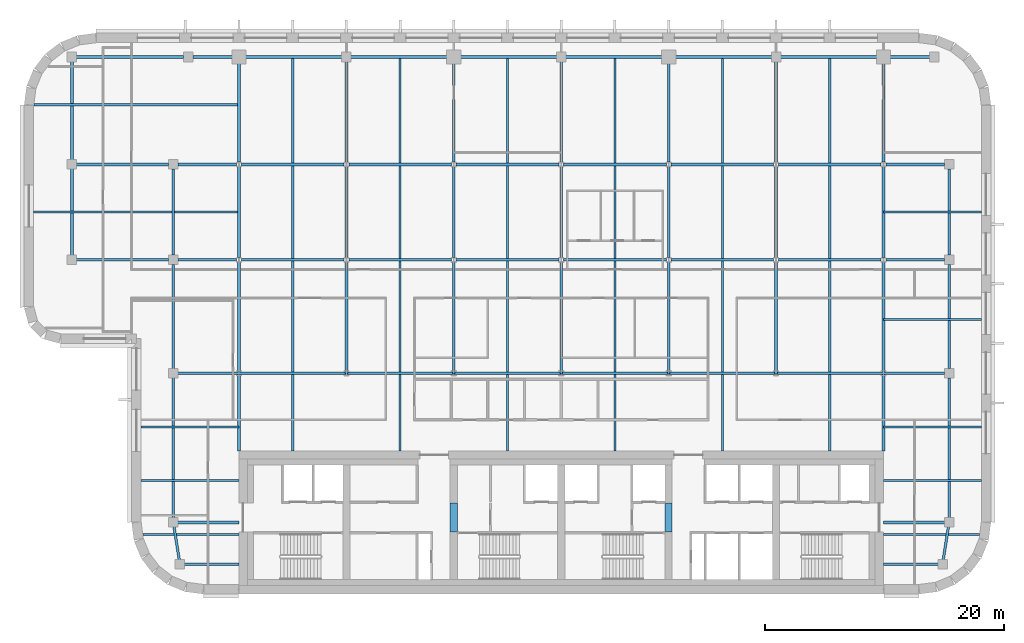
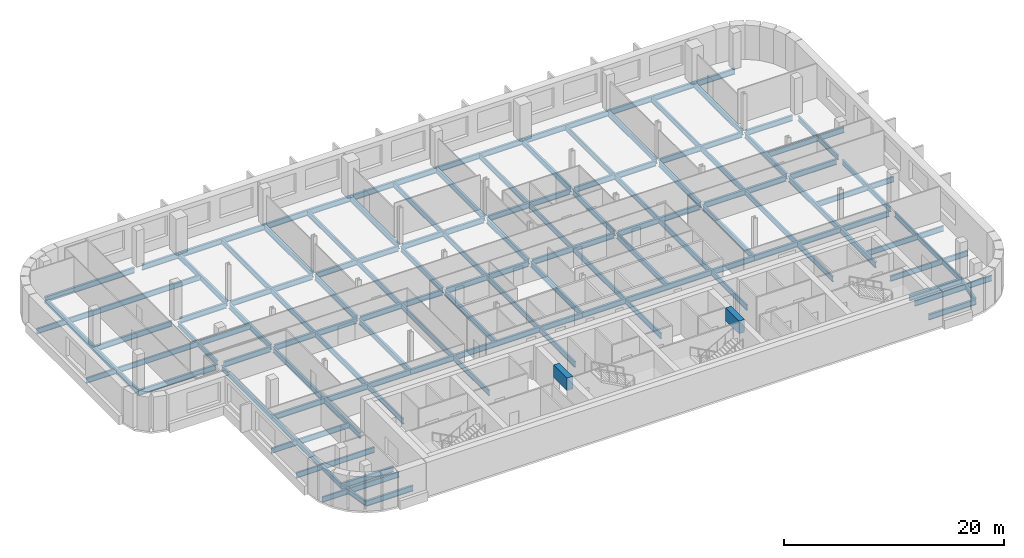
# One storey, part 5 of 16: 80 beams.
"""IFC4 building model written with IfcOpenShell, lengths in metres."""

from ifc_helpers import new_model, si_unit, direction, frame, origin, origin_2d, place, context, subcontext, project, spatial, rectangle, i_section, extrude, material, material_profile, profile_set, type_object, element, save


model = new_model("IFC4")

# Units and contexts
model_context = context("Model", 3, precision=1e-05, world=origin(), true_north=direction((0.0, 1.0)))
body_context = subcontext(model_context, "Body", "Model", "MODEL_VIEW")
ifc_project = project(units=[si_unit("LENGTHUNIT", "METRE"), si_unit("AREAUNIT", "SQUARE_METRE"), si_unit("VOLUMEUNIT", "CUBIC_METRE"), si_unit("PLANEANGLEUNIT", "RADIAN"), si_unit("MASSUNIT", "GRAM", prefix="KILO")], contexts=[model_context])

# Site, building, storey
site_placement = place(None, origin())
site = spatial("IfcSite", under=ifc_project, at=site_placement, CompositionType="ELEMENT")
building_placement = place(site_placement, origin())
building = spatial("IfcBuilding", under=site, at=building_placement, Name="Zellij Exchange Tower", CompositionType="ELEMENT")
storey_placement = place(building_placement, frame((0.0, 0.0, 248.5)))
storey = spatial("IfcBuildingStorey", under=building, at=storey_placement, Name="L58", CompositionType="ELEMENT", Elevation=248.5)

# Beams
ifc_material_1 = material(Name="Concrete C50/60", Category="concrete")
ifc_material_profile_1 = material_profile(ifc_material_1, rectangle(XDim=0.60009765625, YDim=1.39990234375, at=origin_2d()), Name="CORE-CB 600x1400 C50/60")
ifc_profile_set_1 = profile_set([ifc_material_profile_1], Name="Concrete C50/60")
beam_type_1 = type_object("IfcBeamType", Name="CORE-CB 600x1400 C50/60", PredefinedType="BEAM", material=ifc_profile_set_1)
for number, where, z_axis, x_axis, name in (
    (1, (-9.0, -8.800048828125, 3.10009765625), (0.0, 1.0, 0.0), (-1.0, 0.0, 0.0), "Core coupling beam x -9 L58"),
    (2, (9.0, -8.800048828125, 3.10009765625), (0.0, 1.0, 0.0), (-1.0, 0.0, 0.0), "Core coupling beam x 9 L58"),
):
    element("IfcBeam", number, at=place(storey_placement, frame(where, z_axis=z_axis, x_axis=x_axis)), inside=storey, type_object=beam_type_1, Name=name, PredefinedType="BEAM", context=body_context, shape_type="SweptSolid", body=[
        extrude(rectangle(XDim=0.60009765625, YDim=1.39990234375, at=origin_2d()), origin(), (0.0, 0.0, 1.0), 2.425048828125),
    ])
ifc_material_2 = material(Name="Structural steel ASTM A992 Gr 50", Category="steel")
ifc_material_profile_2 = material_profile(ifc_material_2, i_section(OverallWidth=0.177978515625, OverallDepth=0.599365234375, WebThickness=0.010009765625, FlangeThickness=0.012939453125, at=origin_2d()), Name="W24x55")
ifc_profile_set_2 = profile_set([ifc_material_profile_2], Name="Structural steel ASTM A992 Gr 50")
beam_type_2 = type_object("IfcBeamType", Name="STR-BEAM W24x55", PredefinedType="BEAM", material=ifc_profile_set_2)
for number, where, z_axis, x_axis, name in (
    (3, (-22.5, -2.0, -0.499755859375), (0.0, 1.0, 0.0), (-1.0, 0.0, 0.0), "B4"),
    (4, (-13.5, -2.0, -0.499755859375), (0.0, 1.0, 0.0), (-1.0, 0.0, 0.0), "B4"),
    (5, (-4.5, -2.0, -0.499755859375), (0.0, 1.0, 0.0), (-1.0, 0.0, 0.0), "B4"),
    (6, (4.5, -2.0, -0.499755859375), (0.0, 1.0, 0.0), (-1.0, 0.0, 0.0), "B4"),
    (7, (13.5, -2.0, -0.499755859375), (0.0, 1.0, 0.0), (-1.0, 0.0, 0.0), "B4"),
    (8, (22.5, -2.0, -0.499755859375), (0.0, 1.0, 0.0), (-1.0, 0.0, 0.0), "B4"),
):
    element("IfcBeam", number, at=place(storey_placement, frame(where, z_axis=z_axis, x_axis=x_axis)), inside=storey, type_object=beam_type_2, Name=name, PredefinedType="BEAM", context=body_context, shape_type="SweptSolid", body=[
        extrude(i_section(OverallWidth=0.177978515625, OverallDepth=0.599365234375, WebThickness=0.010009765625, FlangeThickness=0.012939453125, at=origin_2d()), origin(), (0.0, 0.0, 1.0), 33.1142578125),
    ])
beam_1_placement = place(storey_placement, frame((-35.06103515625, -9.0, -0.499755859375), z_axis=(1.0, 0.0, 0.0), x_axis=(0.0, 1.0, 0.0)))
element("IfcBeam", 9, at=beam_1_placement, inside=storey, type_object=beam_type_2, Name="B4", PredefinedType="BEAM", context=body_context, shape_type="SweptSolid", body=[
    extrude(i_section(OverallWidth=0.177978515625, OverallDepth=0.599365234375, WebThickness=0.010009765625, FlangeThickness=0.012939453125, at=origin_2d()), origin(), (0.0, 0.0, 1.0), 8.06103515625),
])
for number, where, z_axis, x_axis, name in (
    (10, (-35.199951171875, -4.5, -0.499755859375), (1.0, 0.0, 0.0), (0.0, 1.0, 0.0), "B4"),
    (11, (-35.199951171875, 0.0, -0.499755859375), (1.0, 0.0, 0.0), (0.0, 1.0, 0.0), "B4"),
):
    element("IfcBeam", number, at=place(storey_placement, frame(where, z_axis=z_axis, x_axis=x_axis)), inside=storey, type_object=beam_type_2, Name=name, PredefinedType="BEAM", context=body_context, shape_type="SweptSolid", body=[
        extrude(i_section(OverallWidth=0.177978515625, OverallDepth=0.599365234375, WebThickness=0.010009765625, FlangeThickness=0.012939453125, at=origin_2d()), origin(), (0.0, 0.0, 1.0), 8.199951171875),
    ])
beam_2_placement = place(storey_placement, frame((-44.199951171875, 18.0, -0.499755859375), z_axis=(1.0, 0.0, 0.0), x_axis=(0.0, 1.0, 0.0)))
element("IfcBeam", 12, at=beam_2_placement, inside=storey, type_object=beam_type_2, Name="B4", PredefinedType="BEAM", context=body_context, shape_type="SweptSolid", body=[
    extrude(i_section(OverallWidth=0.177978515625, OverallDepth=0.599365234375, WebThickness=0.010009765625, FlangeThickness=0.012939453125, at=origin_2d()), origin(), (0.0, 0.0, 1.0), 17.199951171875),
])
beam_3_placement = place(storey_placement, frame((-44.193115234375, 27.0, -0.499755859375), z_axis=(1.0, 0.0, 0.0), x_axis=(0.0, 1.0, 0.0)))
element("IfcBeam", 13, at=beam_3_placement, inside=storey, type_object=beam_type_2, Name="B4", PredefinedType="BEAM", context=body_context, shape_type="SweptSolid", body=[
    extrude(i_section(OverallWidth=0.177978515625, OverallDepth=0.599365234375, WebThickness=0.010009765625, FlangeThickness=0.012939453125, at=origin_2d()), origin(), (0.0, 0.0, 1.0), 17.193115234375),
])
beam_4_placement = place(storey_placement, frame((27.0, -9.0, -0.499755859375), z_axis=(1.0, 0.0, 0.0), x_axis=(0.0, 1.0, 0.0)))
element("IfcBeam", 14, at=beam_4_placement, inside=storey, type_object=beam_type_2, Name="B4", PredefinedType="BEAM", context=body_context, shape_type="SweptSolid", body=[
    extrude(i_section(OverallWidth=0.177978515625, OverallDepth=0.599365234375, WebThickness=0.010009765625, FlangeThickness=0.012939453125, at=origin_2d()), origin(), (0.0, 0.0, 1.0), 8.06103515625),
])
for number, where, z_axis, x_axis, name in (
    (15, (27.0, -4.5, -0.499755859375), (1.0, 0.0, 0.0), (0.0, 1.0, 0.0), "B4"),
    (16, (27.0, 0.0, -0.499755859375), (1.0, 0.0, 0.0), (0.0, 1.0, 0.0), "B4"),
    (17, (27.0, 9.0, -0.499755859375), (1.0, 0.0, 0.0), (0.0, 1.0, 0.0), "B4"),
    (18, (27.0, 18.0, -0.499755859375), (1.0, 0.0, 0.0), (0.0, 1.0, 0.0), "B4"),
):
    element("IfcBeam", number, at=place(storey_placement, frame(where, z_axis=z_axis, x_axis=x_axis)), inside=storey, type_object=beam_type_2, Name=name, PredefinedType="BEAM", context=body_context, shape_type="SweptSolid", body=[
        extrude(i_section(OverallWidth=0.177978515625, OverallDepth=0.599365234375, WebThickness=0.010009765625, FlangeThickness=0.012939453125, at=origin_2d()), origin(), (0.0, 0.0, 1.0), 8.199951171875),
    ])
ifc_material_profile_3 = material_profile(ifc_material_2, i_section(OverallWidth=0.209228515625, OverallDepth=0.533447265625, WebThickness=0.01025390625, FlangeThickness=0.015625, at=origin_2d()), Name="W21x62")
ifc_profile_set_3 = profile_set([ifc_material_profile_3], Name="Structural steel ASTM A992 Gr 50")
beam_type_3 = type_object("IfcBeamType", Name="STR-EDGE GIRDER W21x62", PredefinedType="BEAM", material=ifc_profile_set_3)
beam_5_placement = place(storey_placement, frame((-31.949951171875, -11.5, -0.466796875), z_axis=(-0.155251283593, 0.987875011802, 0.0), x_axis=(-0.987875011802, -0.155251283593, 0.0)))
element("IfcBeam", 19, at=beam_5_placement, inside=storey, type_object=beam_type_3, Name="EB3", PredefinedType="BEAM", context=body_context, shape_type="SweptSolid", body=[
    extrude(i_section(OverallWidth=0.209228515625, OverallDepth=0.533447265625, WebThickness=0.01025390625, FlangeThickness=0.015625, at=origin_2d()), origin(), (0.0, 0.0, 1.0), 3.54296875),
])
beam_6_placement = place(storey_placement, frame((-32.5, -8.0, -0.466796875), z_axis=(0.0, 1.0, 0.0), x_axis=(-1.0, 0.0, 0.0)))
element("IfcBeam", 20, at=beam_6_placement, inside=storey, type_object=beam_type_3, Name="EB3", PredefinedType="BEAM", context=body_context, shape_type="SweptSolid", body=[
    extrude(i_section(OverallWidth=0.209228515625, OverallDepth=0.533447265625, WebThickness=0.01025390625, FlangeThickness=0.015625, at=origin_2d()), origin(), (0.0, 0.0, 1.0), 12.5),
])
beam_7_placement = place(storey_placement, frame((-32.5, 4.5, -0.466796875), z_axis=(0.0, 1.0, 0.0), x_axis=(-1.0, 0.0, 0.0)))
element("IfcBeam", 21, at=beam_7_placement, inside=storey, type_object=beam_type_3, Name="EB3", PredefinedType="BEAM", context=body_context, shape_type="SweptSolid", body=[
    extrude(i_section(OverallWidth=0.209228515625, OverallDepth=0.533447265625, WebThickness=0.01025390625, FlangeThickness=0.015625, at=origin_2d()), origin(), (0.0, 0.0, 1.0), 9.10009765625),
])
beam_8_placement = place(storey_placement, frame((-32.5, 14.39990234375, -0.466796875), z_axis=(0.0, 1.0, 0.0), x_axis=(-1.0, 0.0, 0.0)))
element("IfcBeam", 22, at=beam_8_placement, inside=storey, type_object=beam_type_3, Name="EB3", PredefinedType="BEAM", context=body_context, shape_type="SweptSolid", body=[
    extrude(i_section(OverallWidth=0.209228515625, OverallDepth=0.533447265625, WebThickness=0.01025390625, FlangeThickness=0.015625, at=origin_2d()), origin(), (0.0, 0.0, 1.0), 7.2001953125),
])
beam_9_placement = place(storey_placement, frame((31.949951171875, -11.5, -0.466796875), z_axis=(0.155251283593, 0.987875011802, 0.0), x_axis=(-0.987875011802, 0.155251283593, 0.0)))
element("IfcBeam", 23, at=beam_9_placement, inside=storey, type_object=beam_type_3, Name="EB3", PredefinedType="BEAM", context=body_context, shape_type="SweptSolid", body=[
    extrude(i_section(OverallWidth=0.209228515625, OverallDepth=0.533447265625, WebThickness=0.01025390625, FlangeThickness=0.015625, at=origin_2d()), origin(), (0.0, 0.0, 1.0), 3.54296875),
])
beam_10_placement = place(storey_placement, frame((32.5, -8.0, -0.466796875), z_axis=(0.0, 1.0, 0.0), x_axis=(-1.0, 0.0, 0.0)))
element("IfcBeam", 24, at=beam_10_placement, inside=storey, type_object=beam_type_3, Name="EB3", PredefinedType="BEAM", context=body_context, shape_type="SweptSolid", body=[
    extrude(i_section(OverallWidth=0.209228515625, OverallDepth=0.533447265625, WebThickness=0.01025390625, FlangeThickness=0.015625, at=origin_2d()), origin(), (0.0, 0.0, 1.0), 12.10009765625),
])
beam_11_placement = place(storey_placement, frame((32.5, 4.89990234375, -0.466796875), z_axis=(0.0, 1.0, 0.0), x_axis=(-1.0, 0.0, 0.0)))
element("IfcBeam", 25, at=beam_11_placement, inside=storey, type_object=beam_type_3, Name="EB3", PredefinedType="BEAM", context=body_context, shape_type="SweptSolid", body=[
    extrude(i_section(OverallWidth=0.209228515625, OverallDepth=0.533447265625, WebThickness=0.01025390625, FlangeThickness=0.015625, at=origin_2d()), origin(), (0.0, 0.0, 1.0), 8.7001953125),
])
beam_12_placement = place(storey_placement, frame((32.5, 14.39990234375, -0.466796875), z_axis=(0.0, 1.0, 0.0), x_axis=(-1.0, 0.0, 0.0)))
element("IfcBeam", 26, at=beam_12_placement, inside=storey, type_object=beam_type_3, Name="EB3", PredefinedType="BEAM", context=body_context, shape_type="SweptSolid", body=[
    extrude(i_section(OverallWidth=0.209228515625, OverallDepth=0.533447265625, WebThickness=0.01025390625, FlangeThickness=0.015625, at=origin_2d()), origin(), (0.0, 0.0, 1.0), 7.2001953125),
])
ifc_material_profile_4 = material_profile(ifc_material_2, i_section(OverallWidth=0.228271484375, OverallDepth=0.607177734375, WebThickness=0.01123046875, FlangeThickness=0.017333984375, at=origin_2d()), Name="W24x76")
ifc_profile_set_4 = profile_set([ifc_material_profile_4], Name="Structural steel ASTM A992 Gr 50")
beam_type_4 = type_object("IfcBeamType", Name="STR-GIRDER W24x76", PredefinedType="BEAM", material=ifc_profile_set_4)
for number, where, z_axis, x_axis, name in (
    (27, (-31.949951171875, -11.5, -0.50341796875), (1.0, 0.0, 0.0), (0.0, 1.0, 0.0), "G2"),
    (28, (27.0, -11.5, -0.50341796875), (1.0, 0.0, 0.0), (0.0, 1.0, 0.0), "G2"),
):
    element("IfcBeam", number, at=place(storey_placement, frame(where, z_axis=z_axis, x_axis=x_axis)), inside=storey, type_object=beam_type_4, Name=name, PredefinedType="BEAM", context=body_context, shape_type="SweptSolid", body=[
        extrude(i_section(OverallWidth=0.228271484375, OverallDepth=0.607177734375, WebThickness=0.01123046875, FlangeThickness=0.017333984375, at=origin_2d()), origin(), (0.0, 0.0, 1.0), 4.949951171875),
    ])
for number, where, z_axis, x_axis, name in (
    (29, (-32.5, -8.0, -0.50341796875), (1.0, 0.0, 0.0), (0.0, 1.0, 0.0), "G2"),
    (30, (27.0, -8.0, -0.50341796875), (1.0, 0.0, 0.0), (0.0, 1.0, 0.0), "G2"),
):
    element("IfcBeam", number, at=place(storey_placement, frame(where, z_axis=z_axis, x_axis=x_axis)), inside=storey, type_object=beam_type_4, Name=name, PredefinedType="BEAM", context=body_context, shape_type="SweptSolid", body=[
        extrude(i_section(OverallWidth=0.228271484375, OverallDepth=0.607177734375, WebThickness=0.01123046875, FlangeThickness=0.017333984375, at=origin_2d()), origin(), (0.0, 0.0, 1.0), 5.5),
    ])
beam_13_placement = place(storey_placement, frame((-32.5, 4.5, -0.50341796875), z_axis=(1.0, 0.0, 0.0), x_axis=(0.0, 1.0, 0.0)))
element("IfcBeam", 31, at=beam_13_placement, inside=storey, type_object=beam_type_4, Name="G2", PredefinedType="BEAM", context=body_context, shape_type="SweptSolid", body=[
    extrude(i_section(OverallWidth=0.228271484375, OverallDepth=0.607177734375, WebThickness=0.01123046875, FlangeThickness=0.017333984375, at=origin_2d()), origin(), (0.0, 0.0, 1.0), 14.5),
])
for number, where, z_axis, x_axis, name in (
    (32, (-18.0, 4.5, -0.50341796875), (1.0, 0.0, 0.0), (0.0, 1.0, 0.0), "G2"),
    (33, (0.0, 4.5, -0.50341796875), (1.0, 0.0, 0.0), (0.0, 1.0, 0.0), "G2"),
):
    element("IfcBeam", number, at=place(storey_placement, frame(where, z_axis=z_axis, x_axis=x_axis)), inside=storey, type_object=beam_type_4, Name=name, PredefinedType="BEAM", context=body_context, shape_type="SweptSolid", body=[
        extrude(i_section(OverallWidth=0.228271484375, OverallDepth=0.607177734375, WebThickness=0.01123046875, FlangeThickness=0.017333984375, at=origin_2d()), origin(), (0.0, 0.0, 1.0), 18.0),
    ])
beam_14_placement = place(storey_placement, frame((18.0, 4.5, -0.50341796875), z_axis=(1.0, 0.0, 0.0), x_axis=(0.0, 1.0, 0.0)))
element("IfcBeam", 34, at=beam_14_placement, inside=storey, type_object=beam_type_4, Name="G2", PredefinedType="BEAM", context=body_context, shape_type="SweptSolid", body=[
    extrude(i_section(OverallWidth=0.228271484375, OverallDepth=0.607177734375, WebThickness=0.01123046875, FlangeThickness=0.017333984375, at=origin_2d()), origin(), (0.0, 0.0, 1.0), 14.10009765625),
])
beam_15_placement = place(storey_placement, frame((-41.0, 14.0, -0.50341796875), z_axis=(1.0, 0.0, 0.0), x_axis=(0.0, 1.0, 0.0)))
element("IfcBeam", 35, at=beam_15_placement, inside=storey, type_object=beam_type_4, Name="G2", PredefinedType="BEAM", context=body_context, shape_type="SweptSolid", body=[
    extrude(i_section(OverallWidth=0.228271484375, OverallDepth=0.607177734375, WebThickness=0.01123046875, FlangeThickness=0.017333984375, at=origin_2d()), origin(), (0.0, 0.0, 1.0), 8.10009765625),
])
beam_16_placement = place(storey_placement, frame((-32.10009765625, 14.0, -0.50341796875), z_axis=(1.0, 0.0, 0.0), x_axis=(0.0, 1.0, 0.0)))
element("IfcBeam", 36, at=beam_16_placement, inside=storey, type_object=beam_type_4, Name="G2", PredefinedType="BEAM", context=body_context, shape_type="SweptSolid", body=[
    extrude(i_section(OverallWidth=0.228271484375, OverallDepth=0.607177734375, WebThickness=0.01123046875, FlangeThickness=0.017333984375, at=origin_2d()), origin(), (0.0, 0.0, 1.0), 4.900634765625),
])
for number, where, z_axis, x_axis, name in (
    (37, (-26.800537109375, 14.0, -0.50341796875), (1.0, 0.0, 0.0), (0.0, 1.0, 0.0), "G2"),
    (38, (-17.800537109375, 14.0, -0.50341796875), (1.0, 0.0, 0.0), (0.0, 1.0, 0.0), "G2"),
    (39, (-8.800537109375, 14.0, -0.50341796875), (1.0, 0.0, 0.0), (0.0, 1.0, 0.0), "G2"),
    (40, (0.199462890625, 14.0, -0.50341796875), (1.0, 0.0, 0.0), (0.0, 1.0, 0.0), "G2"),
    (41, (9.199462890625, 14.0, -0.50341796875), (1.0, 0.0, 0.0), (0.0, 1.0, 0.0), "G2"),
    (42, (18.199462890625, 14.0, -0.50341796875), (1.0, 0.0, 0.0), (0.0, 1.0, 0.0), "G2"),
):
    element("IfcBeam", number, at=place(storey_placement, frame(where, z_axis=z_axis, x_axis=x_axis)), inside=storey, type_object=beam_type_4, Name=name, PredefinedType="BEAM", context=body_context, shape_type="SweptSolid", body=[
        extrude(i_section(OverallWidth=0.228271484375, OverallDepth=0.607177734375, WebThickness=0.01123046875, FlangeThickness=0.017333984375, at=origin_2d()), origin(), (0.0, 0.0, 1.0), 8.60107421875),
    ])
beam_17_placement = place(storey_placement, frame((27.199462890625, 14.0, -0.50341796875), z_axis=(1.0, 0.0, 0.0), x_axis=(0.0, 1.0, 0.0)))
element("IfcBeam", 43, at=beam_17_placement, inside=storey, type_object=beam_type_4, Name="G2", PredefinedType="BEAM", context=body_context, shape_type="SweptSolid", body=[
    extrude(i_section(OverallWidth=0.228271484375, OverallDepth=0.607177734375, WebThickness=0.01123046875, FlangeThickness=0.017333984375, at=origin_2d()), origin(), (0.0, 0.0, 1.0), 4.900634765625),
])
beam_18_placement = place(storey_placement, frame((-41.0, 22.0, -0.50341796875), z_axis=(1.0, 0.0, 0.0), x_axis=(0.0, 1.0, 0.0)))
element("IfcBeam", 44, at=beam_18_placement, inside=storey, type_object=beam_type_4, Name="G2", PredefinedType="BEAM", context=body_context, shape_type="SweptSolid", body=[
    extrude(i_section(OverallWidth=0.228271484375, OverallDepth=0.607177734375, WebThickness=0.01123046875, FlangeThickness=0.017333984375, at=origin_2d()), origin(), (0.0, 0.0, 1.0), 8.10009765625),
])
beam_19_placement = place(storey_placement, frame((-32.10009765625, 22.0, -0.50341796875), z_axis=(1.0, 0.0, 0.0), x_axis=(0.0, 1.0, 0.0)))
element("IfcBeam", 45, at=beam_19_placement, inside=storey, type_object=beam_type_4, Name="G2", PredefinedType="BEAM", context=body_context, shape_type="SweptSolid", body=[
    extrude(i_section(OverallWidth=0.228271484375, OverallDepth=0.607177734375, WebThickness=0.01123046875, FlangeThickness=0.017333984375, at=origin_2d()), origin(), (0.0, 0.0, 1.0), 4.900634765625),
])
for number, where, z_axis, x_axis, name in (
    (46, (-26.800537109375, 22.0, -0.50341796875), (1.0, 0.0, 0.0), (0.0, 1.0, 0.0), "G2"),
    (47, (-17.800537109375, 22.0, -0.50341796875), (1.0, 0.0, 0.0), (0.0, 1.0, 0.0), "G2"),
    (48, (-8.800537109375, 22.0, -0.50341796875), (1.0, 0.0, 0.0), (0.0, 1.0, 0.0), "G2"),
    (49, (0.199462890625, 22.0, -0.50341796875), (1.0, 0.0, 0.0), (0.0, 1.0, 0.0), "G2"),
    (50, (9.199462890625, 22.0, -0.50341796875), (1.0, 0.0, 0.0), (0.0, 1.0, 0.0), "G2"),
    (51, (18.199462890625, 22.0, -0.50341796875), (1.0, 0.0, 0.0), (0.0, 1.0, 0.0), "G2"),
):
    element("IfcBeam", number, at=place(storey_placement, frame(where, z_axis=z_axis, x_axis=x_axis)), inside=storey, type_object=beam_type_4, Name=name, PredefinedType="BEAM", context=body_context, shape_type="SweptSolid", body=[
        extrude(i_section(OverallWidth=0.228271484375, OverallDepth=0.607177734375, WebThickness=0.01123046875, FlangeThickness=0.017333984375, at=origin_2d()), origin(), (0.0, 0.0, 1.0), 8.60107421875),
    ])
beam_20_placement = place(storey_placement, frame((27.199462890625, 22.0, -0.50341796875), z_axis=(1.0, 0.0, 0.0), x_axis=(0.0, 1.0, 0.0)))
element("IfcBeam", 52, at=beam_20_placement, inside=storey, type_object=beam_type_4, Name="G2", PredefinedType="BEAM", context=body_context, shape_type="SweptSolid", body=[
    extrude(i_section(OverallWidth=0.228271484375, OverallDepth=0.607177734375, WebThickness=0.01123046875, FlangeThickness=0.017333984375, at=origin_2d()), origin(), (0.0, 0.0, 1.0), 4.900634765625),
])
beam_21_placement = place(storey_placement, frame((-41.0, 31.0, -0.50341796875), z_axis=(1.0, 0.0, 0.0), x_axis=(0.0, 1.0, 0.0)))
element("IfcBeam", 53, at=beam_21_placement, inside=storey, type_object=beam_type_4, Name="G2", PredefinedType="BEAM", context=body_context, shape_type="SweptSolid", body=[
    extrude(i_section(OverallWidth=0.228271484375, OverallDepth=0.607177734375, WebThickness=0.01123046875, FlangeThickness=0.017333984375, at=origin_2d()), origin(), (0.0, 0.0, 1.0), 9.35009765625),
])
beam_22_placement = place(storey_placement, frame((-30.85009765625, 31.0, -0.50341796875), z_axis=(1.0, 0.0, 0.0), x_axis=(0.0, 1.0, 0.0)))
element("IfcBeam", 54, at=beam_22_placement, inside=storey, type_object=beam_type_4, Name="G2", PredefinedType="BEAM", context=body_context, shape_type="SweptSolid", body=[
    extrude(i_section(OverallWidth=0.228271484375, OverallDepth=0.607177734375, WebThickness=0.01123046875, FlangeThickness=0.017333984375, at=origin_2d()), origin(), (0.0, 0.0, 1.0), 3.85009765625),
])
for number, where, z_axis, x_axis, name in (
    (55, (-27.0, 31.0, -0.50341796875), (1.0, 0.0, 0.0), (0.0, 1.0, 0.0), "G2"),
    (56, (-9.0, 31.0, -0.50341796875), (1.0, 0.0, 0.0), (0.0, 1.0, 0.0), "G2"),
    (57, (9.0, 31.0, -0.50341796875), (1.0, 0.0, 0.0), (0.0, 1.0, 0.0), "G2"),
):
    element("IfcBeam", number, at=place(storey_placement, frame(where, z_axis=z_axis, x_axis=x_axis)), inside=storey, type_object=beam_type_4, Name=name, PredefinedType="BEAM", context=body_context, shape_type="SweptSolid", body=[
        extrude(i_section(OverallWidth=0.228271484375, OverallDepth=0.607177734375, WebThickness=0.01123046875, FlangeThickness=0.017333984375, at=origin_2d()), origin(), (0.0, 0.0, 1.0), 18.0),
    ])
beam_23_placement = place(storey_placement, frame((27.0, 31.0, -0.50341796875), z_axis=(1.0, 0.0, 0.0), x_axis=(0.0, 1.0, 0.0)))
element("IfcBeam", 58, at=beam_23_placement, inside=storey, type_object=beam_type_4, Name="G2", PredefinedType="BEAM", context=body_context, shape_type="SweptSolid", body=[
    extrude(i_section(OverallWidth=0.228271484375, OverallDepth=0.607177734375, WebThickness=0.01123046875, FlangeThickness=0.017333984375, at=origin_2d()), origin(), (0.0, 0.0, 1.0), 4.25),
])
beam_24_placement = place(storey_placement, frame((-41.0, 14.0, -0.50341796875), z_axis=(0.0, 1.0, 0.0), x_axis=(-1.0, 0.0, 0.0)))
element("IfcBeam", 59, at=beam_24_placement, inside=storey, type_object=beam_type_4, Name="G2", PredefinedType="BEAM", context=body_context, shape_type="SweptSolid", body=[
    extrude(i_section(OverallWidth=0.228271484375, OverallDepth=0.607177734375, WebThickness=0.01123046875, FlangeThickness=0.017333984375, at=origin_2d()), origin(), (0.0, 0.0, 1.0), 17.0),
])
beam_25_placement = place(storey_placement, frame((-27.0, -2.0, -0.50341796875), z_axis=(0.0, 1.0, 0.0), x_axis=(-1.0, 0.0, 0.0)))
element("IfcBeam", 60, at=beam_25_placement, inside=storey, type_object=beam_type_4, Name="G2", PredefinedType="BEAM", context=body_context, shape_type="SweptSolid", body=[
    extrude(i_section(OverallWidth=0.228271484375, OverallDepth=0.607177734375, WebThickness=0.01123046875, FlangeThickness=0.017333984375, at=origin_2d()), origin(), (0.0, 0.0, 1.0), 15.806884765625),
])
beam_26_placement = place(storey_placement, frame((-27.0, 14.193115234375, -0.50341796875), z_axis=(0.0, 1.0, 0.0), x_axis=(-1.0, 0.0, 0.0)))
element("IfcBeam", 61, at=beam_26_placement, inside=storey, type_object=beam_type_4, Name="G2", PredefinedType="BEAM", context=body_context, shape_type="SweptSolid", body=[
    extrude(i_section(OverallWidth=0.228271484375, OverallDepth=0.607177734375, WebThickness=0.01123046875, FlangeThickness=0.017333984375, at=origin_2d()), origin(), (0.0, 0.0, 1.0), 7.61376953125),
])
beam_27_placement = place(storey_placement, frame((-27.0, 22.193115234375, -0.50341796875), z_axis=(0.0, 1.0, 0.0), x_axis=(-1.0, 0.0, 0.0)))
element("IfcBeam", 62, at=beam_27_placement, inside=storey, type_object=beam_type_4, Name="G2", PredefinedType="BEAM", context=body_context, shape_type="SweptSolid", body=[
    extrude(i_section(OverallWidth=0.228271484375, OverallDepth=0.607177734375, WebThickness=0.01123046875, FlangeThickness=0.017333984375, at=origin_2d()), origin(), (0.0, 0.0, 1.0), 8.806884765625),
])
beam_28_placement = place(storey_placement, frame((-18.0, 4.5, -0.50341796875), z_axis=(0.0, 1.0, 0.0), x_axis=(-1.0, 0.0, 0.0)))
element("IfcBeam", 63, at=beam_28_placement, inside=storey, type_object=beam_type_4, Name="G2", PredefinedType="BEAM", context=body_context, shape_type="SweptSolid", body=[
    extrude(i_section(OverallWidth=0.228271484375, OverallDepth=0.607177734375, WebThickness=0.01123046875, FlangeThickness=0.017333984375, at=origin_2d()), origin(), (0.0, 0.0, 1.0), 9.306884765625),
])
beam_29_placement = place(storey_placement, frame((-18.0, 14.193115234375, -0.50341796875), z_axis=(0.0, 1.0, 0.0), x_axis=(-1.0, 0.0, 0.0)))
element("IfcBeam", 64, at=beam_29_placement, inside=storey, type_object=beam_type_4, Name="G2", PredefinedType="BEAM", context=body_context, shape_type="SweptSolid", body=[
    extrude(i_section(OverallWidth=0.228271484375, OverallDepth=0.607177734375, WebThickness=0.01123046875, FlangeThickness=0.017333984375, at=origin_2d()), origin(), (0.0, 0.0, 1.0), 7.61376953125),
])
beam_30_placement = place(storey_placement, frame((-18.0, 22.193115234375, -0.50341796875), z_axis=(0.0, 1.0, 0.0), x_axis=(-1.0, 0.0, 0.0)))
element("IfcBeam", 65, at=beam_30_placement, inside=storey, type_object=beam_type_4, Name="G2", PredefinedType="BEAM", context=body_context, shape_type="SweptSolid", body=[
    extrude(i_section(OverallWidth=0.228271484375, OverallDepth=0.607177734375, WebThickness=0.01123046875, FlangeThickness=0.017333984375, at=origin_2d()), origin(), (0.0, 0.0, 1.0), 8.806884765625),
])
beam_31_placement = place(storey_placement, frame((-9.0, 4.5, -0.50341796875), z_axis=(0.0, 1.0, 0.0), x_axis=(-1.0, 0.0, 0.0)))
element("IfcBeam", 66, at=beam_31_placement, inside=storey, type_object=beam_type_4, Name="G2", PredefinedType="BEAM", context=body_context, shape_type="SweptSolid", body=[
    extrude(i_section(OverallWidth=0.228271484375, OverallDepth=0.607177734375, WebThickness=0.01123046875, FlangeThickness=0.017333984375, at=origin_2d()), origin(), (0.0, 0.0, 1.0), 9.306884765625),
])
beam_32_placement = place(storey_placement, frame((-9.0, 14.193115234375, -0.50341796875), z_axis=(0.0, 1.0, 0.0), x_axis=(-1.0, 0.0, 0.0)))
element("IfcBeam", 67, at=beam_32_placement, inside=storey, type_object=beam_type_4, Name="G2", PredefinedType="BEAM", context=body_context, shape_type="SweptSolid", body=[
    extrude(i_section(OverallWidth=0.228271484375, OverallDepth=0.607177734375, WebThickness=0.01123046875, FlangeThickness=0.017333984375, at=origin_2d()), origin(), (0.0, 0.0, 1.0), 7.61376953125),
])
beam_33_placement = place(storey_placement, frame((-9.0, 22.193115234375, -0.50341796875), z_axis=(0.0, 1.0, 0.0), x_axis=(-1.0, 0.0, 0.0)))
element("IfcBeam", 68, at=beam_33_placement, inside=storey, type_object=beam_type_4, Name="G2", PredefinedType="BEAM", context=body_context, shape_type="SweptSolid", body=[
    extrude(i_section(OverallWidth=0.228271484375, OverallDepth=0.607177734375, WebThickness=0.01123046875, FlangeThickness=0.017333984375, at=origin_2d()), origin(), (0.0, 0.0, 1.0), 8.806884765625),
])
beam_34_placement = place(storey_placement, frame((0.0, 4.5, -0.50341796875), z_axis=(0.0, 1.0, 0.0), x_axis=(-1.0, 0.0, 0.0)))
element("IfcBeam", 69, at=beam_34_placement, inside=storey, type_object=beam_type_4, Name="G2", PredefinedType="BEAM", context=body_context, shape_type="SweptSolid", body=[
    extrude(i_section(OverallWidth=0.228271484375, OverallDepth=0.607177734375, WebThickness=0.01123046875, FlangeThickness=0.017333984375, at=origin_2d()), origin(), (0.0, 0.0, 1.0), 9.306884765625),
])
beam_35_placement = place(storey_placement, frame((0.0, 14.193115234375, -0.50341796875), z_axis=(0.0, 1.0, 0.0), x_axis=(-1.0, 0.0, 0.0)))
element("IfcBeam", 70, at=beam_35_placement, inside=storey, type_object=beam_type_4, Name="G2", PredefinedType="BEAM", context=body_context, shape_type="SweptSolid", body=[
    extrude(i_section(OverallWidth=0.228271484375, OverallDepth=0.607177734375, WebThickness=0.01123046875, FlangeThickness=0.017333984375, at=origin_2d()), origin(), (0.0, 0.0, 1.0), 7.61376953125),
])
beam_36_placement = place(storey_placement, frame((0.0, 22.193115234375, -0.50341796875), z_axis=(0.0, 1.0, 0.0), x_axis=(-1.0, 0.0, 0.0)))
element("IfcBeam", 71, at=beam_36_placement, inside=storey, type_object=beam_type_4, Name="G2", PredefinedType="BEAM", context=body_context, shape_type="SweptSolid", body=[
    extrude(i_section(OverallWidth=0.228271484375, OverallDepth=0.607177734375, WebThickness=0.01123046875, FlangeThickness=0.017333984375, at=origin_2d()), origin(), (0.0, 0.0, 1.0), 8.806884765625),
])
beam_37_placement = place(storey_placement, frame((9.0, 4.5, -0.50341796875), z_axis=(0.0, 1.0, 0.0), x_axis=(-1.0, 0.0, 0.0)))
element("IfcBeam", 72, at=beam_37_placement, inside=storey, type_object=beam_type_4, Name="G2", PredefinedType="BEAM", context=body_context, shape_type="SweptSolid", body=[
    extrude(i_section(OverallWidth=0.228271484375, OverallDepth=0.607177734375, WebThickness=0.01123046875, FlangeThickness=0.017333984375, at=origin_2d()), origin(), (0.0, 0.0, 1.0), 9.306884765625),
])
beam_38_placement = place(storey_placement, frame((9.0, 14.193115234375, -0.50341796875), z_axis=(0.0, 1.0, 0.0), x_axis=(-1.0, 0.0, 0.0)))
element("IfcBeam", 73, at=beam_38_placement, inside=storey, type_object=beam_type_4, Name="G2", PredefinedType="BEAM", context=body_context, shape_type="SweptSolid", body=[
    extrude(i_section(OverallWidth=0.228271484375, OverallDepth=0.607177734375, WebThickness=0.01123046875, FlangeThickness=0.017333984375, at=origin_2d()), origin(), (0.0, 0.0, 1.0), 7.61376953125),
])
beam_39_placement = place(storey_placement, frame((9.0, 22.193115234375, -0.50341796875), z_axis=(0.0, 1.0, 0.0), x_axis=(-1.0, 0.0, 0.0)))
element("IfcBeam", 74, at=beam_39_placement, inside=storey, type_object=beam_type_4, Name="G2", PredefinedType="BEAM", context=body_context, shape_type="SweptSolid", body=[
    extrude(i_section(OverallWidth=0.228271484375, OverallDepth=0.607177734375, WebThickness=0.01123046875, FlangeThickness=0.017333984375, at=origin_2d()), origin(), (0.0, 0.0, 1.0), 8.806884765625),
])
beam_40_placement = place(storey_placement, frame((18.0, 4.5, -0.50341796875), z_axis=(0.0, 1.0, 0.0), x_axis=(-1.0, 0.0, 0.0)))
element("IfcBeam", 75, at=beam_40_placement, inside=storey, type_object=beam_type_4, Name="G2", PredefinedType="BEAM", context=body_context, shape_type="SweptSolid", body=[
    extrude(i_section(OverallWidth=0.228271484375, OverallDepth=0.607177734375, WebThickness=0.01123046875, FlangeThickness=0.017333984375, at=origin_2d()), origin(), (0.0, 0.0, 1.0), 9.306884765625),
])
beam_41_placement = place(storey_placement, frame((18.0, 14.193115234375, -0.50341796875), z_axis=(0.0, 1.0, 0.0), x_axis=(-1.0, 0.0, 0.0)))
element("IfcBeam", 76, at=beam_41_placement, inside=storey, type_object=beam_type_4, Name="G2", PredefinedType="BEAM", context=body_context, shape_type="SweptSolid", body=[
    extrude(i_section(OverallWidth=0.228271484375, OverallDepth=0.607177734375, WebThickness=0.01123046875, FlangeThickness=0.017333984375, at=origin_2d()), origin(), (0.0, 0.0, 1.0), 7.61376953125),
])
beam_42_placement = place(storey_placement, frame((18.0, 22.193115234375, -0.50341796875), z_axis=(0.0, 1.0, 0.0), x_axis=(-1.0, 0.0, 0.0)))
element("IfcBeam", 77, at=beam_42_placement, inside=storey, type_object=beam_type_4, Name="G2", PredefinedType="BEAM", context=body_context, shape_type="SweptSolid", body=[
    extrude(i_section(OverallWidth=0.228271484375, OverallDepth=0.607177734375, WebThickness=0.01123046875, FlangeThickness=0.017333984375, at=origin_2d()), origin(), (0.0, 0.0, 1.0), 8.806884765625),
])
beam_43_placement = place(storey_placement, frame((27.0, -2.0, -0.50341796875), z_axis=(0.0, 1.0, 0.0), x_axis=(-1.0, 0.0, 0.0)))
element("IfcBeam", 78, at=beam_43_placement, inside=storey, type_object=beam_type_4, Name="G2", PredefinedType="BEAM", context=body_context, shape_type="SweptSolid", body=[
    extrude(i_section(OverallWidth=0.228271484375, OverallDepth=0.607177734375, WebThickness=0.01123046875, FlangeThickness=0.017333984375, at=origin_2d()), origin(), (0.0, 0.0, 1.0), 15.806884765625),
])
beam_44_placement = place(storey_placement, frame((27.0, 14.193115234375, -0.50341796875), z_axis=(0.0, 1.0, 0.0), x_axis=(-1.0, 0.0, 0.0)))
element("IfcBeam", 79, at=beam_44_placement, inside=storey, type_object=beam_type_4, Name="G2", PredefinedType="BEAM", context=body_context, shape_type="SweptSolid", body=[
    extrude(i_section(OverallWidth=0.228271484375, OverallDepth=0.607177734375, WebThickness=0.01123046875, FlangeThickness=0.017333984375, at=origin_2d()), origin(), (0.0, 0.0, 1.0), 7.61376953125),
])
beam_45_placement = place(storey_placement, frame((27.0, 22.193115234375, -0.50341796875), z_axis=(0.0, 1.0, 0.0), x_axis=(-1.0, 0.0, 0.0)))
element("IfcBeam", 80, at=beam_45_placement, inside=storey, type_object=beam_type_4, Name="G2", PredefinedType="BEAM", context=body_context, shape_type="SweptSolid", body=[
    extrude(i_section(OverallWidth=0.228271484375, OverallDepth=0.607177734375, WebThickness=0.01123046875, FlangeThickness=0.017333984375, at=origin_2d()), origin(), (0.0, 0.0, 1.0), 8.806884765625),
])

save(model, "model.ifc")
